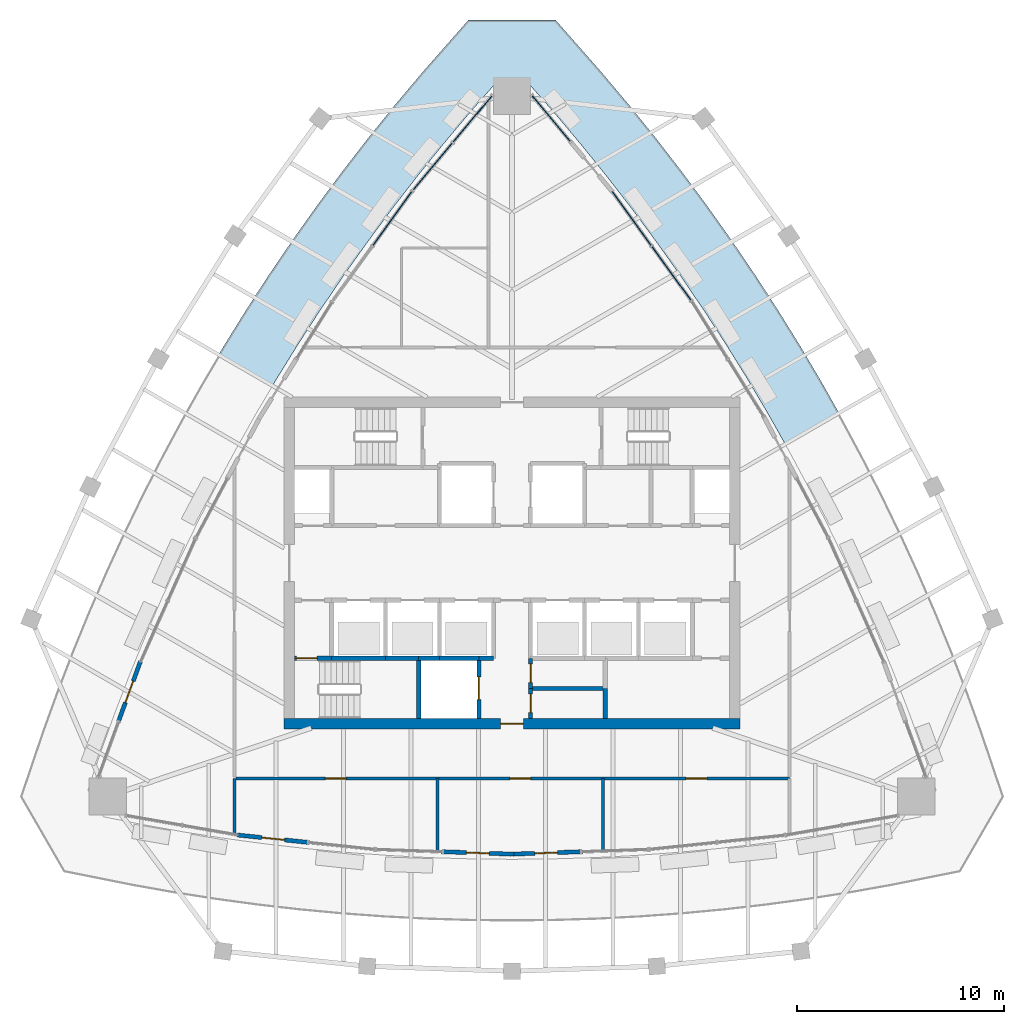
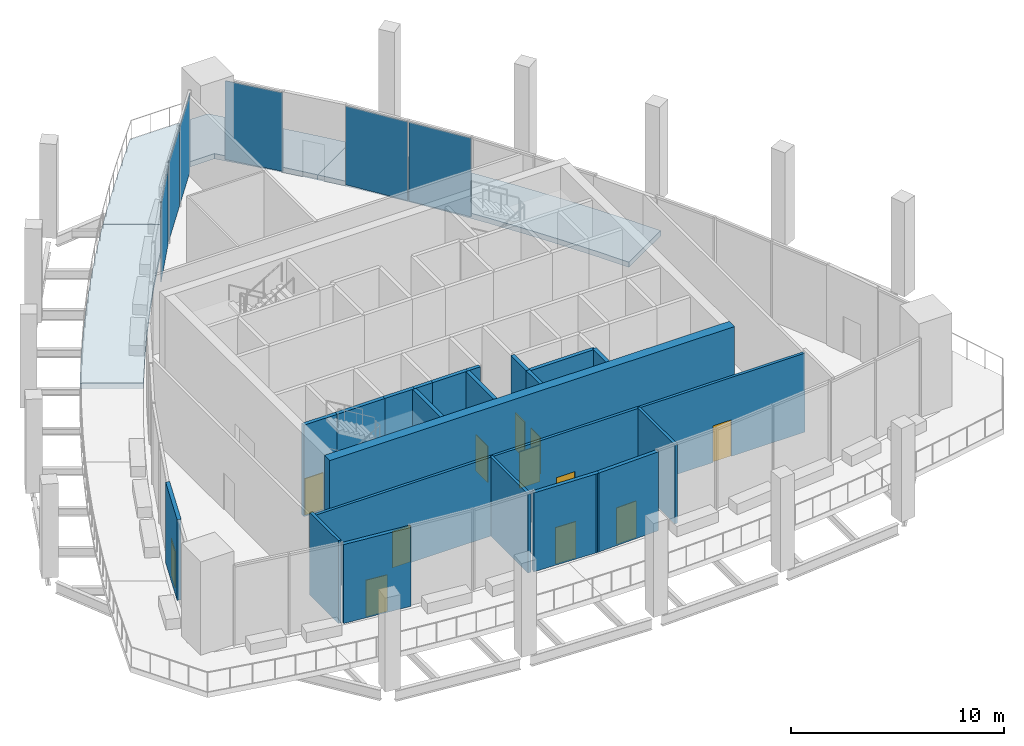
# One storey, part 7 of 14: 21 walls, 12 doors, 6 plates, 3 slabs, 12 openings, 4 elements without a shape of their own.
"""IFC4 building model written with IfcOpenShell, lengths in metres."""

from ifc_helpers import new_model, si_unit, direction, frame, frame_2d, origin, origin_2d, place, context, subcontext, project, spatial, polyline, rectangle, outline, extrude, material, layer, layer_set, type_object, element, fill, aggregate, save


model = new_model("IFC4")

# Units and contexts
model_context = context("Model", 3, precision=1e-05, world=origin(), true_north=direction((0.0, 1.0)))
body_context = subcontext(model_context, "Body", "Model", "MODEL_VIEW")
ifc_project = project(units=[si_unit("LENGTHUNIT", "METRE"), si_unit("AREAUNIT", "SQUARE_METRE"), si_unit("VOLUMEUNIT", "CUBIC_METRE"), si_unit("PLANEANGLEUNIT", "RADIAN"), si_unit("MASSUNIT", "GRAM", prefix="KILO")], contexts=[model_context])

# Site, building, storey
site_placement = place(None, origin())
site = spatial("IfcSite", under=ifc_project, at=site_placement, CompositionType="ELEMENT")
building_placement = place(site_placement, origin())
building = spatial("IfcBuilding", under=site, at=building_placement, Name="Sierra Prisma Convention Tower", CompositionType="ELEMENT")
storey_placement = place(building_placement, frame((0.0, 0.0, 339.39990234375)))
storey = spatial("IfcBuildingStorey", under=building, at=storey_placement, Name="L76", CompositionType="ELEMENT", Elevation=339.39990234375)

# Curtain wall, plates
ifc_material_1 = material(Name="Aluminium and glass curtain wall", Category="aluminium")
ifc_layer_1 = layer(ifc_material_1, 0.179931640625)
ifc_layer_set_1 = layer_set([ifc_layer_1], Name="CW-5 Observation lounge curtain wall")
curtain_wall_type = type_object("IfcCurtainWallType", Name="CW-5 Observation lounge curtain wall", PredefinedType="NOTDEFINED", material=ifc_layer_set_1)
curtain_wall_1_placement = place(storey_placement, origin())
curtain_wall_1 = element("IfcCurtainWall", 1, at=curtain_wall_1_placement, inside=storey, type_object=curtain_wall_type, Name="CW-5 CNE5 L76", PredefinedType="NOTDEFINED")
ifc_material_2 = material(Name="Tinted glass bronze-grey IGU", Category="glass")
ifc_layer_2 = layer(ifc_material_2, 0.0400390625)
ifc_layer_set_2 = layer_set([ifc_layer_2], Name="CW-5 glass panel")
plate_type = type_object("IfcPlateType", Name="CW-5 glass panel", PredefinedType="CURTAIN_PANEL", material=ifc_layer_set_2)
plate_1_placement = place(storey_placement, frame((7.69140625, 13.975341796875, 0.0), z_axis=(0.0, 0.0, 1.0), x_axis=(-0.587078381855, 0.809530094288, 0.0)))
plate_1 = element("IfcPlate", 2, at=plate_1_placement, type_object=plate_type, Name="CW-5 panel CNE5.1", PredefinedType="CURTAIN_PANEL", context=body_context, shape_type="SweptSolid", body=[
    extrude(rectangle(XDim=3.196044921875, YDim=0.0400390625, at=origin_2d()), origin(), (0.0, 0.0, 1.0), 4.52001953125),
])
plate_2_placement = place(storey_placement, frame((5.77392578125, 16.619384765625, 0.0), z_axis=(0.0, 0.0, 1.0), x_axis=(-0.587078381855, 0.809530094288, 0.0)))
plate_2 = element("IfcPlate", 3, at=plate_2_placement, type_object=plate_type, Name="CW-5 panel CNE5.2", PredefinedType="CURTAIN_PANEL", context=body_context, shape_type="SweptSolid", body=[
    extrude(rectangle(XDim=3.196044921875, YDim=0.0400390625, at=origin_2d()), origin(), (0.0, 0.0, 1.0), 4.52001953125),
])
aggregate(curtain_wall_1, [plate_1, plate_2])

# Curtain wall, plate
curtain_wall_2_placement = place(storey_placement, origin())
curtain_wall_2 = element("IfcCurtainWall", 4, at=curtain_wall_2_placement, inside=storey, type_object=curtain_wall_type, Name="CW-5 CNE6 L76", PredefinedType="NOTDEFINED")
plate_3_placement = place(storey_placement, frame((1.889892578125, 21.441650390625, 0.0), z_axis=(0.0, 0.0, 1.0), x_axis=(-0.641671743331, 0.766979382911, 0.0)))
plate_3 = element("IfcPlate", 5, at=plate_3_placement, type_object=plate_type, Name="CW-5 panel CNE6.1", PredefinedType="CURTAIN_PANEL", context=body_context, shape_type="SweptSolid", body=[
    extrude(rectangle(XDim=2.8779296875, YDim=0.0400390625, at=origin_2d()), origin(), (0.0, 0.0, 1.0), 4.52001953125),
])
aggregate(curtain_wall_2, [plate_3])

# Curtain wall, plates
curtain_wall_3_placement = place(storey_placement, origin())
curtain_wall_3 = element("IfcCurtainWall", 6, at=curtain_wall_3_placement, inside=storey, type_object=curtain_wall_type, Name="CW-5 CNW1 L76", PredefinedType="NOTDEFINED")
plate_4_placement = place(storey_placement, frame((-1.903564453125, 21.42529296875, 0.0), z_axis=(0.0, 0.0, 1.0), x_axis=(-0.641671743331, -0.766979382911, 0.0)))
plate_4 = element("IfcPlate", 7, at=plate_4_placement, type_object=plate_type, Name="CW-5 panel CNW1.1", PredefinedType="CURTAIN_PANEL", context=body_context, shape_type="SweptSolid", body=[
    extrude(rectangle(XDim=2.910400390625, YDim=0.0400390625, at=origin_2d()), origin(), (0.0, 0.0, 1.0), 4.52001953125),
])
plate_5_placement = place(storey_placement, frame((-3.81591796875, 19.139404296875, 0.0), z_axis=(0.0, 0.0, 1.0), x_axis=(-0.641671743331, -0.766979382911, 0.0)))
plate_5 = element("IfcPlate", 8, at=plate_5_placement, type_object=plate_type, Name="CW-5 panel CNW1.2", PredefinedType="CURTAIN_PANEL", context=body_context, shape_type="SweptSolid", body=[
    extrude(rectangle(XDim=2.910400390625, YDim=0.0400390625, at=origin_2d()), origin(), (0.0, 0.0, 1.0), 4.52001953125),
])
aggregate(curtain_wall_3, [plate_4, plate_5])

# Curtain wall, plate
curtain_wall_4_placement = place(storey_placement, origin())
curtain_wall_4 = element("IfcCurtainWall", 9, at=curtain_wall_4_placement, inside=storey, type_object=curtain_wall_type, Name="CW-5 CNW2 L76", PredefinedType="NOTDEFINED")
plate_6_placement = place(storey_placement, frame((-5.77392578125, 16.619384765625, 0.0), z_axis=(0.0, 0.0, 1.0), x_axis=(-0.587078381855, -0.809530094288, 0.0)))
plate_6 = element("IfcPlate", 10, at=plate_6_placement, type_object=plate_type, Name="CW-5 panel CNW2.1", PredefinedType="CURTAIN_PANEL", context=body_context, shape_type="SweptSolid", body=[
    extrude(rectangle(XDim=3.196044921875, YDim=0.0400390625, at=origin_2d()), origin(), (0.0, 0.0, 1.0), 4.52001953125),
])
aggregate(curtain_wall_4, [plate_6])

# Slabs
ifc_material_3 = material(Name="Concrete C50/60", Category="concrete")
ifc_layer_3 = layer(ifc_material_3, 0.300048828125)
ifc_layer_set_3 = layer_set([ifc_layer_3], Name="Observation deck slab")
slab_type = type_object("IfcSlabType", Name="Observation deck slab", PredefinedType="FLOOR", material=ifc_layer_set_3)
slab_1_placement = place(storey_placement, frame((0.0, 0.0, -0.2998046875)))
element("IfcSlab", 11, at=slab_1_placement, inside=storey, type_object=slab_type, Name="Observation deck slab L76", PredefinedType="FLOOR", context=body_context, shape_type="SweptSolid", body=[
    extrude(outline(polyline([(15.78076171875, 7.2333984375), (13.1826171875, 5.733154296875), (12.38427734375, 7.14990234375), (11.556396484375, 8.5498046875), (11.373291015625, 8.859619140625), (10.3271484375, 10.548095703125), (9.832763671875, 11.31005859375), (9.24609375, 12.21435546875), (8.130615234375, 13.857666015625), (8.017333984375, 14.017333984375), (6.981201171875, 15.4775390625), (6.1005859375, 16.666015625), (5.798583984375, 17.0732421875), (4.5830078125, 18.64404296875), (4.086669921875, 19.2587890625), (6.716552734375, 20.777099609375), (6.9365234375, 20.5048828125), (8.190185546875, 18.884765625), (8.715576171875, 18.176025390625), (9.409912109375, 17.239013671875), (10.595458984375, 15.568115234375), (10.625732421875, 15.5234375), (11.745849609375, 13.873291015625), (12.434326171875, 12.81201171875), (12.86083984375, 12.15478515625), (13.939697265625, 10.413330078125), (14.15478515625, 10.0498046875), (14.982421875, 8.650146484375), (15.78076171875, 7.2333984375)])), origin(), (0.0, 0.0, 1.0), 0.2998046875),
])
slab_2_placement = place(storey_placement, frame((0.0, 0.0, -0.2998046875)))
element("IfcSlab", 12, at=slab_2_placement, inside=storey, type_object=slab_type, Name="Observation deck slab L76", PredefinedType="FLOOR", context=body_context, shape_type="SweptSolid", body=[
    extrude(outline(polyline([(-6.716552734375, 20.777099609375), (-5.6494140625, 22.098388671875), (-4.32958984375, 23.6650390625), (-2.101806640625, 26.200439453125), (2.101806640625, 26.200439453125), (4.32958984375, 23.6650390625), (5.6494140625, 22.098388671875), (6.716552734375, 20.777099609375), (4.086669921875, 19.2587890625), (3.335205078125, 20.189453125), (2.055419921875, 21.708251953125), (1.977783203125, 21.796630859375), (0.744384765625, 23.200439453125), (-0.744384765625, 23.200439453125), (-1.977783203125, 21.796630859375), (-2.055419921875, 21.708251953125), (-3.335205078125, 20.189453125), (-4.086669921875, 19.2587890625), (-6.716552734375, 20.777099609375)])), origin(), (0.0, 0.0, 1.0), 0.2998046875),
])
slab_3_placement = place(storey_placement, frame((0.0, 0.0, -0.2998046875)))
element("IfcSlab", 13, at=slab_3_placement, inside=storey, type_object=slab_type, Name="Observation deck slab L76", PredefinedType="FLOOR", context=body_context, shape_type="SweptSolid", body=[
    extrude(outline(polyline([(-12.86083984375, 12.15478515625), (-12.434326171875, 12.81201171875), (-11.745849609375, 13.873291015625), (-10.625732421875, 15.5234375), (-10.595458984375, 15.568115234375), (-9.409912109375, 17.239013671875), (-8.715576171875, 18.176025390625), (-8.190185546875, 18.884765625), (-6.9365234375, 20.5048828125), (-6.716552734375, 20.777099609375), (-4.086669921875, 19.2587890625), (-4.5830078125, 18.64404296875), (-5.798583984375, 17.0732421875), (-6.1005859375, 16.666015625), (-6.981201171875, 15.4775390625), (-8.017333984375, 14.017333984375), (-8.130615234375, 13.857666015625), (-9.24609375, 12.21435546875), (-9.832763671875, 11.31005859375), (-10.3271484375, 10.548095703125), (-11.373291015625, 8.859619140625), (-11.556396484375, 8.5498046875), (-14.15478515625, 10.0498046875), (-13.939697265625, 10.413330078125), (-12.86083984375, 12.15478515625)])), origin(), (0.0, 0.0, 1.0), 0.2998046875),
])

# Wall, opening, door
ifc_material_4 = material(Name="Concrete C30/37", Category="concrete")
ifc_layer_4 = layer(ifc_material_4, 0.199951171875)
ifc_layer_set_4 = layer_set([ifc_layer_4], Name="Core wall RC 200 C30/37")
wall_type_1 = type_object("IfcWallType", Name="Core wall RC 200 C30/37", PredefinedType="SOLIDWALL", material=ifc_layer_set_4)
wall_1_placement = place(storey_placement, frame((-10.5, -4.60009765625, 0.0), z_axis=(0.0, 0.0, 1.0), x_axis=(1.0, 0.0, 0.0)))
wall_1 = element("IfcWall", 14, at=wall_1_placement, inside=storey, type_object=wall_type_1, Name="Core wall L76 1", PredefinedType="SOLIDWALL", context=body_context, shape_type="SweptSolid", body=[
    extrude(rectangle(XDim=1.800048828125, YDim=0.199951171875, at=frame_2d((0.89990234375, 0.0))), origin(), (0.0, 0.0, 1.0), 5.25),
])
opening_1_placement = place(wall_1_placement, frame((0.10009765625, 0.0, 0.0)))
opening_1 = element("IfcOpeningElement", 15, at=opening_1_placement, cuts=wall_1, Name="Opening L76-D015", PredefinedType="OPENING", context=body_context, shape_type="SweptSolid", body=[
    extrude(rectangle(XDim=1.0, YDim=2.10009765625, at=frame_2d((0.5, 1.050048828125))), frame((0.0, 0.10009765625, 0.0), z_axis=(0.0, -1.0, 0.0), x_axis=(1.0, 0.0, 0.0)), (0.0, 0.0, 1.0), 0.199951171875),
])
ifc_material_5 = material(Name="Steel fire door leaf", Category="steel")
door_type_1 = type_object("IfcDoorType", Name="Door 1000x2100 FD90S", OperationType="SINGLE_SWING_LEFT", PredefinedType="DOOR", material=ifc_material_5)
door_1_placement = place(opening_1_placement, origin())
door_1 = element("IfcDoor", 16, at=door_1_placement, inside=storey, type_object=door_type_1, Name="Door L76 23", OperationType="SINGLE_SWING_LEFT", OverallHeight=2.10009765625, OverallWidth=1.0, PredefinedType="DOOR", context=body_context, shape_type="SweptSolid", body=[
    extrude(rectangle(XDim=1.0, YDim=2.10009765625, at=frame_2d((0.5, 1.050048828125))), frame((0.0, 0.02490234375, 0.0), z_axis=(0.0, -1.0, 0.0), x_axis=(1.0, 0.0, 0.0)), (0.0, 0.0, 1.0), 0.050048828125),
])
fill(opening_1, door_1)

# Walls
wall_2_placement = place(storey_placement, frame((-8.699951171875, -4.60009765625, 0.0), z_axis=(0.0, 0.0, 1.0), x_axis=(1.0, 0.0, 0.0)))
element("IfcWall", 17, at=wall_2_placement, inside=storey, type_object=wall_type_1, Name="Core wall L76 5", PredefinedType="SOLIDWALL", context=body_context, shape_type="SweptSolid", body=[
    extrude(rectangle(XDim=2.599853515625, YDim=0.199951171875, at=frame_2d((1.2998046875, 0.0))), origin(), (0.0, 0.0, 1.0), 5.25),
])
wall_3_placement = place(storey_placement, frame((-6.10009765625, -4.60009765625, 0.0), z_axis=(0.0, 0.0, 1.0), x_axis=(1.0, 0.0, 0.0)))
element("IfcWall", 18, at=wall_3_placement, inside=storey, type_object=wall_type_1, Name="Core wall L76 11", PredefinedType="SOLIDWALL", context=body_context, shape_type="SweptSolid", body=[
    extrude(rectangle(XDim=1.60009765625, YDim=0.199951171875, at=frame_2d((0.800048828125, 0.0))), origin(), (0.0, 0.0, 1.0), 5.25),
])
wall_4_placement = place(storey_placement, frame((-4.5, -4.60009765625, 0.0), z_axis=(0.0, 0.0, 1.0), x_axis=(0.0, -1.0, 0.0)))
element("IfcWall", 19, at=wall_4_placement, inside=storey, type_object=wall_type_1, Name="Core wall L76 14", PredefinedType="SOLIDWALL", context=body_context, shape_type="SweptSolid", body=[
    extrude(rectangle(XDim=2.89990234375, YDim=0.199951171875, at=frame_2d((1.449951171875, 0.0))), origin(), (0.0, 0.0, 1.0), 5.25),
])
wall_5_placement = place(storey_placement, frame((-4.5, -4.60009765625, 0.0), z_axis=(0.0, 0.0, 1.0), x_axis=(1.0, 0.0, 0.0)))
element("IfcWall", 20, at=wall_5_placement, inside=storey, type_object=wall_type_1, Name="Core wall L76 15", PredefinedType="SOLIDWALL", context=body_context, shape_type="SweptSolid", body=[
    extrude(rectangle(XDim=1.0, YDim=0.199951171875, at=frame_2d((0.5, 0.0))), origin(), (0.0, 0.0, 1.0), 5.25),
])
wall_6_placement = place(storey_placement, frame((-3.5, -4.60009765625, 0.0), z_axis=(0.0, 0.0, 1.0), x_axis=(1.0, 0.0, 0.0)))
element("IfcWall", 21, at=wall_6_placement, inside=storey, type_object=wall_type_1, Name="Core wall L76 18", PredefinedType="SOLIDWALL", context=body_context, shape_type="SweptSolid", body=[
    extrude(rectangle(XDim=1.89990234375, YDim=0.199951171875, at=frame_2d((0.949951171875, 0.0))), origin(), (0.0, 0.0, 1.0), 5.25),
])

# Wall, opening, door
wall_7_placement = place(storey_placement, frame((-1.60009765625, -7.5, 0.0), z_axis=(0.0, 0.0, 1.0), x_axis=(0.0, 1.0, 0.0)))
wall_7 = element("IfcWall", 22, at=wall_7_placement, inside=storey, type_object=wall_type_1, Name="Core wall L76 26", PredefinedType="SOLIDWALL", context=body_context, shape_type="SweptSolid", body=[
    extrude(rectangle(XDim=2.89990234375, YDim=0.199951171875, at=frame_2d((1.449951171875, 0.0))), origin(), (0.0, 0.0, 1.0), 5.25),
])
opening_2_placement = place(wall_7_placement, frame((0.89990234375, 0.0, 0.0)))
opening_2 = element("IfcOpeningElement", 23, at=opening_2_placement, cuts=wall_7, Name="Opening L76-D009", PredefinedType="OPENING", context=body_context, shape_type="SweptSolid", body=[
    extrude(rectangle(XDim=1.10009765625, YDim=2.10009765625, at=frame_2d((0.550048828125, 1.050048828125))), frame((0.0, 0.10009765625, 0.0), z_axis=(0.0, -1.0, 0.0), x_axis=(1.0, 0.0, 0.0)), (0.0, 0.0, 1.0), 0.199951171875),
])
ifc_material_6 = material(Name="Steel fire door leaf", Category="steel")
door_type_2 = type_object("IfcDoorType", Name="Door 1100x2100 EI 90 sliding lift landing", OperationType="SLIDING_TO_LEFT", PredefinedType="DOOR", material=ifc_material_6)
door_2_placement = place(opening_2_placement, origin())
door_2 = element("IfcDoor", 24, at=door_2_placement, inside=storey, type_object=door_type_2, Name="Door L76 17", OperationType="SLIDING_TO_RIGHT", OverallHeight=2.10009765625, OverallWidth=1.10009765625, PredefinedType="DOOR", context=body_context, shape_type="SweptSolid", body=[
    extrude(rectangle(XDim=1.10009765625, YDim=2.10009765625, at=frame_2d((0.550048828125, 1.050048828125))), frame((0.0, 0.02490234375, 0.0), z_axis=(0.0, -1.0, 0.0), x_axis=(1.0, 0.0, 0.0)), (0.0, 0.0, 1.0), 0.050048828125),
])
fill(opening_2, door_2)

# Wall
wall_8_placement = place(storey_placement, frame((-1.60009765625, -4.60009765625, 0.0), z_axis=(0.0, 0.0, 1.0), x_axis=(1.0, 0.0, 0.0)))
element("IfcWall", 25, at=wall_8_placement, inside=storey, type_object=wall_type_1, Name="Core wall L76 27", PredefinedType="SOLIDWALL", context=body_context, shape_type="SweptSolid", body=[
    extrude(rectangle(XDim=0.7001953125, YDim=0.199951171875, at=frame_2d((0.35009765625, 0.0))), origin(), (0.0, 0.0, 1.0), 5.25),
])

# Wall, opening, door
wall_9_placement = place(storey_placement, frame((0.89990234375, -6.050048828125, 0.0), z_axis=(0.0, 0.0, 1.0), x_axis=(0.0, -1.0, 0.0)))
wall_9 = element("IfcWall", 26, at=wall_9_placement, inside=storey, type_object=wall_type_1, Name="Core wall L76 31", PredefinedType="SOLIDWALL", context=body_context, shape_type="SweptSolid", body=[
    extrude(rectangle(XDim=1.449951171875, YDim=0.199951171875, at=frame_2d((0.72509765625, 0.0))), origin(), (0.0, 0.0, 1.0), 5.25),
])
opening_3_placement = place(wall_9_placement, frame((0.27490234375, 0.0, 0.0)))
opening_3 = element("IfcOpeningElement", 27, at=opening_3_placement, cuts=wall_9, Name="Opening L76-D023", PredefinedType="OPENING", context=body_context, shape_type="SweptSolid", body=[
    extrude(rectangle(XDim=0.89990234375, YDim=2.10009765625, at=frame_2d((0.449951171875, 1.050048828125))), frame((0.0, 0.10009765625, 0.0), z_axis=(0.0, -1.0, 0.0), x_axis=(1.0, 0.0, 0.0)), (0.0, 0.0, 1.0), 0.199951171875),
])
ifc_material_7 = material(Name="Steel fire door leaf", Category="steel")
door_type_3 = type_object("IfcDoorType", Name="Door 900x2100 FD30S", OperationType="SINGLE_SWING_LEFT", PredefinedType="DOOR", material=ifc_material_7)
door_3_placement = place(opening_3_placement, origin())
door_3 = element("IfcDoor", 28, at=door_3_placement, inside=storey, type_object=door_type_3, Name="Door L76 31", OperationType="SINGLE_SWING_RIGHT", OverallHeight=2.10009765625, OverallWidth=0.89990234375, PredefinedType="DOOR", context=body_context, shape_type="SweptSolid", body=[
    extrude(rectangle(XDim=0.89990234375, YDim=2.10009765625, at=frame_2d((0.449951171875, 1.050048828125))), frame((0.0, 0.02490234375, 0.0), z_axis=(0.0, -1.0, 0.0), x_axis=(1.0, 0.0, 0.0)), (0.0, 0.0, 1.0), 0.050048828125),
])
fill(opening_3, door_3)

# Wall
wall_10_placement = place(storey_placement, frame((4.5, -6.050048828125, 0.0), z_axis=(0.0, 0.0, 1.0), x_axis=(-1.0, 0.0, 0.0)))
element("IfcWall", 29, at=wall_10_placement, inside=storey, type_object=wall_type_1, Name="Core wall L76 32", PredefinedType="SOLIDWALL", context=body_context, shape_type="SweptSolid", body=[
    extrude(rectangle(XDim=3.60009765625, YDim=0.199951171875, at=frame_2d((1.800048828125, 0.0))), origin(), (0.0, 0.0, 1.0), 5.25),
])

# Wall, opening, door
wall_11_placement = place(storey_placement, frame((0.89990234375, -4.60009765625, 0.0), z_axis=(0.0, 0.0, 1.0), x_axis=(0.0, -1.0, 0.0)))
wall_11 = element("IfcWall", 30, at=wall_11_placement, inside=storey, type_object=wall_type_1, Name="Core wall L76 33", PredefinedType="SOLIDWALL", context=body_context, shape_type="SweptSolid", body=[
    extrude(rectangle(XDim=1.449951171875, YDim=0.199951171875, at=frame_2d((0.72509765625, 0.0))), origin(), (0.0, 0.0, 1.0), 5.25),
])
opening_4_placement = place(wall_11_placement, frame((0.27490234375, 0.0, 0.0)))
opening_4 = element("IfcOpeningElement", 31, at=opening_4_placement, cuts=wall_11, Name="Opening L76-D024", PredefinedType="OPENING", context=body_context, shape_type="SweptSolid", body=[
    extrude(rectangle(XDim=0.89990234375, YDim=2.10009765625, at=frame_2d((0.449951171875, 1.050048828125))), frame((0.0, 0.10009765625, 0.0), z_axis=(0.0, -1.0, 0.0), x_axis=(1.0, 0.0, 0.0)), (0.0, 0.0, 1.0), 0.199951171875),
])
door_4_placement = place(opening_4_placement, origin())
door_4 = element("IfcDoor", 32, at=door_4_placement, inside=storey, type_object=door_type_3, Name="Door L76 32", OperationType="SINGLE_SWING_RIGHT", OverallHeight=2.10009765625, OverallWidth=0.89990234375, PredefinedType="DOOR", context=body_context, shape_type="SweptSolid", body=[
    extrude(rectangle(XDim=0.89990234375, YDim=2.10009765625, at=frame_2d((0.449951171875, 1.050048828125))), frame((0.0, 0.02490234375, 0.0), z_axis=(0.0, -1.0, 0.0), x_axis=(1.0, 0.0, 0.0)), (0.0, 0.0, 1.0), 0.050048828125),
])
fill(opening_4, door_4)

# Wall
wall_12_placement = place(storey_placement, frame((4.5, -6.050048828125, 0.0), z_axis=(0.0, 0.0, 1.0), x_axis=(0.0, -1.0, 0.0)))
element("IfcWall", 33, at=wall_12_placement, inside=storey, type_object=wall_type_1, Name="Core wall L76 49", PredefinedType="SOLIDWALL", context=body_context, shape_type="SweptSolid", body=[
    extrude(rectangle(XDim=1.449951171875, YDim=0.199951171875, at=frame_2d((0.72509765625, 0.0))), origin(), (0.0, 0.0, 1.0), 5.25),
])

# Wall, opening, door
ifc_material_8 = material(Name="Concrete C50/60", Category="concrete")
ifc_layer_5 = layer(ifc_material_8, 0.5)
ifc_layer_set_5 = layer_set([ifc_layer_5], Name="Core wall RC 500 C50/60")
wall_type_2 = type_object("IfcWallType", Name="Core wall RC 500 C50/60", PredefinedType="SHEAR", material=ifc_layer_set_5)
wall_13_placement = place(storey_placement, frame((-11.0, -7.75, 0.0), z_axis=(0.0, 0.0, 1.0), x_axis=(1.0, 0.0, 0.0)))
wall_13 = element("IfcWall", 34, at=wall_13_placement, inside=storey, type_object=wall_type_2, Name="Core wall S L76", PredefinedType="SHEAR", context=body_context, shape_type="SweptSolid", body=[
    extrude(rectangle(XDim=22.0, YDim=0.5, at=frame_2d((11.0, 0.0))), origin(), (0.0, 0.0, 1.0), 5.400146484375),
])
opening_5_placement = place(wall_13_placement, frame((10.449951171875, 0.0, 0.0)))
opening_5 = element("IfcOpeningElement", 35, at=opening_5_placement, cuts=wall_13, Name="Opening L76-D035", PredefinedType="OPENING", context=body_context, shape_type="SweptSolid", body=[
    extrude(rectangle(XDim=1.10009765625, YDim=2.10009765625, at=frame_2d((0.550048828125, 1.050048828125))), frame((0.0, 0.25, 0.0), z_axis=(0.0, -1.0, 0.0), x_axis=(1.0, 0.0, 0.0)), (0.0, 0.0, 1.0), 0.5),
])
ifc_material_9 = material(Name="Steel fire door leaf", Category="steel")
door_type_4 = type_object("IfcDoorType", Name="Door 1100x2100 FD30S", OperationType="SINGLE_SWING_LEFT", PredefinedType="DOOR", material=ifc_material_9)
door_5_placement = place(opening_5_placement, origin())
door_5 = element("IfcDoor", 36, at=door_5_placement, inside=storey, type_object=door_type_4, Name="Door L76 36", OperationType="SINGLE_SWING_LEFT", OverallHeight=2.10009765625, OverallWidth=1.10009765625, PredefinedType="DOOR", context=body_context, shape_type="SweptSolid", body=[
    extrude(rectangle(XDim=1.10009765625, YDim=2.10009765625, at=frame_2d((0.550048828125, 1.050048828125))), frame((0.0, 0.02490234375, 0.0), z_axis=(0.0, -1.0, 0.0), x_axis=(1.0, 0.0, 0.0)), (0.0, 0.0, 1.0), 0.050048828125),
])
fill(opening_5, door_5)

# Wall, openings, doors
ifc_material_10 = material(Name="Gypsum board partition", Category="gypsum")
ifc_layer_6 = layer(ifc_material_10, 0.14990234375)
ifc_layer_set_6 = layer_set([ifc_layer_6], Name="Corridor wall 150 gypsum EI 60")
wall_type_3 = type_object("IfcWallType", Name="Corridor wall 150 gypsum EI 60", PredefinedType="PARTITIONING", material=ifc_layer_set_6)
wall_14_placement = place(storey_placement, frame((-13.320068359375, -10.39990234375, 0.0), z_axis=(0.0, 0.0, 1.0), x_axis=(1.0, 0.0, 0.0)))
wall_14 = element("IfcWall", 37, at=wall_14_placement, inside=storey, type_object=wall_type_3, Name="Partition L76 corr 2", PredefinedType="PARTITIONING", context=body_context, shape_type="SweptSolid", body=[
    extrude(rectangle(XDim=26.719970703125, YDim=0.14990234375, at=frame_2d((13.35986328125, 0.0))), origin(), (0.0, 0.0, 1.0), 4.533203125),
])
opening_6_placement = place(wall_14_placement, frame((4.320068359375, 0.0, 0.0)))
opening_6 = element("IfcOpeningElement", 38, at=opening_6_placement, cuts=wall_14, Name="Opening L76-D029", PredefinedType="OPENING", context=body_context, shape_type="SweptSolid", body=[
    extrude(rectangle(XDim=1.0, YDim=2.10009765625, at=frame_2d((0.5, 1.050048828125))), frame((0.0, 0.074951171875, 0.0), z_axis=(0.0, -1.0, 0.0), x_axis=(1.0, 0.0, 0.0)), (0.0, 0.0, 1.0), 0.14990234375),
])
opening_7_placement = place(wall_14_placement, frame((13.219970703125, 0.0, 0.0)))
opening_7 = element("IfcOpeningElement", 39, at=opening_7_placement, cuts=wall_14, Name="Opening L76-D030", PredefinedType="OPENING", context=body_context, shape_type="SweptSolid", body=[
    extrude(rectangle(XDim=1.0, YDim=2.10009765625, at=frame_2d((0.5, 1.050048828125))), frame((0.0, 0.074951171875, 0.0), z_axis=(0.0, -1.0, 0.0), x_axis=(1.0, 0.0, 0.0)), (0.0, 0.0, 1.0), 0.14990234375),
])
opening_8_placement = place(wall_14_placement, frame((21.719970703125, 0.0, 0.0)))
opening_8 = element("IfcOpeningElement", 40, at=opening_8_placement, cuts=wall_14, Name="Opening L76-D031", PredefinedType="OPENING", context=body_context, shape_type="SweptSolid", body=[
    extrude(rectangle(XDim=1.0, YDim=2.10009765625, at=frame_2d((0.5, 1.050048828125))), frame((0.0, 0.074951171875, 0.0), z_axis=(0.0, -1.0, 0.0), x_axis=(1.0, 0.0, 0.0)), (0.0, 0.0, 1.0), 0.14990234375),
])
ifc_material_11 = material(Name="Steel fire door leaf", Category="steel")
door_type_5 = type_object("IfcDoorType", Name="Door 1000x2100 FD30S", OperationType="SINGLE_SWING_LEFT", PredefinedType="DOOR", material=ifc_material_11)
door_6_placement = place(opening_6_placement, origin())
door_6 = element("IfcDoor", 41, at=door_6_placement, inside=storey, type_object=door_type_5, Name="Door L76 5", OperationType="SINGLE_SWING_RIGHT", OverallHeight=2.10009765625, OverallWidth=1.0, PredefinedType="DOOR", context=body_context, shape_type="SweptSolid", body=[
    extrude(rectangle(XDim=1.0, YDim=2.10009765625, at=frame_2d((0.5, 1.050048828125))), frame((0.0, 0.02490234375, 0.0), z_axis=(0.0, -1.0, 0.0), x_axis=(1.0, 0.0, 0.0)), (0.0, 0.0, 1.0), 0.050048828125),
])
fill(opening_6, door_6)
door_7_placement = place(opening_7_placement, origin())
door_7 = element("IfcDoor", 42, at=door_7_placement, inside=storey, type_object=door_type_5, Name="Door L76 6", OperationType="SINGLE_SWING_RIGHT", OverallHeight=2.10009765625, OverallWidth=1.0, PredefinedType="DOOR", context=body_context, shape_type="SweptSolid", body=[
    extrude(rectangle(XDim=1.0, YDim=2.10009765625, at=frame_2d((0.5, 1.050048828125))), frame((0.0, 0.02490234375, 0.0), z_axis=(0.0, -1.0, 0.0), x_axis=(1.0, 0.0, 0.0)), (0.0, 0.0, 1.0), 0.050048828125),
])
fill(opening_7, door_7)
door_8_placement = place(opening_8_placement, origin())
door_8 = element("IfcDoor", 43, at=door_8_placement, inside=storey, type_object=door_type_5, Name="Door L76 7", OperationType="SINGLE_SWING_LEFT", OverallHeight=2.10009765625, OverallWidth=1.0, PredefinedType="DOOR", context=body_context, shape_type="SweptSolid", body=[
    extrude(rectangle(XDim=1.0, YDim=2.10009765625, at=frame_2d((0.5, 1.050048828125))), frame((0.0, 0.02490234375, 0.0), z_axis=(0.0, -1.0, 0.0), x_axis=(1.0, 0.0, 0.0)), (0.0, 0.0, 1.0), 0.050048828125),
])
fill(opening_8, door_8)

# Walls
ifc_material_12 = material(Name="Gypsum board partition", Category="gypsum")
ifc_layer_7 = layer(ifc_material_12, 0.14990234375)
ifc_layer_set_7 = layer_set([ifc_layer_7], Name="Party wall 150 gypsum")
wall_type_4 = type_object("IfcWallType", Name="Party wall 150 gypsum", PredefinedType="PARTITIONING", material=ifc_layer_set_7)
wall_15_placement = place(storey_placement, frame((-13.39990234375, -10.39990234375, 0.0), z_axis=(0.0, 0.0, 1.0), x_axis=(0.0, -1.0, 0.0)))
element("IfcWall", 44, at=wall_15_placement, inside=storey, type_object=wall_type_4, Name="Partition L76 party 1", PredefinedType="PARTITIONING", context=body_context, shape_type="SweptSolid", body=[
    extrude(rectangle(XDim=2.70068359375, YDim=0.14990234375, at=frame_2d((1.350341796875, 0.0))), origin(), (0.0, 0.0, 1.0), 4.75),
])
wall_16_placement = place(storey_placement, frame((-3.60009765625, -10.39990234375, 0.0), z_axis=(0.0, 0.0, 1.0), x_axis=(0.0, -1.0, 0.0)))
element("IfcWall", 45, at=wall_16_placement, inside=storey, type_object=wall_type_4, Name="Partition L76 party 2", PredefinedType="PARTITIONING", context=body_context, shape_type="SweptSolid", body=[
    extrude(rectangle(XDim=3.5791015625, YDim=0.14990234375, at=frame_2d((1.78955078125, 0.0))), origin(), (0.0, 0.0, 1.0), 4.533203125),
])
wall_17_placement = place(storey_placement, frame((4.39990234375, -10.39990234375, 0.0), z_axis=(0.0, 0.0, 1.0), x_axis=(0.0, -1.0, 0.0)))
element("IfcWall", 46, at=wall_17_placement, inside=storey, type_object=wall_type_4, Name="Partition L76 party 4", PredefinedType="PARTITIONING", context=body_context, shape_type="SweptSolid", body=[
    extrude(rectangle(XDim=3.544921875, YDim=0.14990234375, at=frame_2d((1.7724609375, 0.0))), origin(), (0.0, 0.0, 1.0), 4.533203125),
])

# Wall, opening, door
ifc_material_13 = material(Name="Precast concrete C40/50", Category="concrete")
ifc_layer_8 = layer(ifc_material_13, 0.199951171875)
ifc_layer_set_8 = layer_set([ifc_layer_8], Name="Terrace door pier")
wall_type_5 = type_object("IfcWallType", Name="Terrace door pier", PredefinedType="SOLIDWALL", material=ifc_layer_set_8)
wall_18_placement = place(storey_placement, frame((-13.25439453125, -13.127685546875, 0.0), z_axis=(0.0, 0.0, 1.0), x_axis=(0.99460605578, -0.103724605592, 0.0)))
wall_18 = element("IfcWall", 47, at=wall_18_placement, inside=storey, type_object=wall_type_5, Name="Deck door bay L76", PredefinedType="SOLIDWALL", context=body_context, shape_type="SweptSolid", body=[
    extrude(rectangle(XDim=3.481201171875, YDim=0.199951171875, at=frame_2d((1.74072265625, 0.0))), origin(), (0.0, 0.0, 1.0), 4.533203125),
])
opening_9_placement = place(wall_18_placement, frame((1.1904296875, 0.0, 0.0)))
opening_9 = element("IfcOpeningElement", 48, at=opening_9_placement, cuts=wall_18, Name="Opening L76-D037", PredefinedType="OPENING", context=body_context, shape_type="SweptSolid", body=[
    extrude(rectangle(XDim=1.10009765625, YDim=2.10009765625, at=frame_2d((0.550048828125, 1.050048828125))), frame((0.0, 0.10009765625, 0.0), z_axis=(0.0, -1.0, 0.0), x_axis=(1.0, 0.0, 0.0)), (0.0, 0.0, 1.0), 0.199951171875),
])
ifc_material_14 = material(Name="Bronze anodised aluminium and glass", Category="aluminium")
door_type_6 = type_object("IfcDoorType", Name="Terrace door 1100 x 2100", OperationType="SINGLE_SWING_LEFT", PredefinedType="DOOR", material=ifc_material_14)
door_9_placement = place(opening_9_placement, origin())
door_9 = element("IfcDoor", 49, at=door_9_placement, inside=storey, type_object=door_type_6, Name="Deck door L76", OperationType="SINGLE_SWING_LEFT", OverallHeight=2.10009765625, OverallWidth=1.10009765625, PredefinedType="DOOR", context=body_context, shape_type="SweptSolid", body=[
    extrude(rectangle(XDim=1.10009765625, YDim=2.10009765625, at=frame_2d((0.550048828125, 1.050048828125))), frame((0.0, 0.02490234375, 0.0), z_axis=(0.0, -1.0, 0.0), x_axis=(1.0, 0.0, 0.0)), (0.0, 0.0, 1.0), 0.050048828125),
])
fill(opening_9, door_9)

wall_19_placement = place(storey_placement, frame((-3.38916015625, -13.9326171875, 0.0), z_axis=(0.0, 0.0, 1.0), x_axis=(0.99939965217, -0.034645854609, 0.0)))
wall_19 = element("IfcWall", 50, at=wall_19_placement, inside=storey, type_object=wall_type_5, Name="Deck door bay L76", PredefinedType="SOLIDWALL", context=body_context, shape_type="SweptSolid", body=[
    extrude(rectangle(XDim=3.481201171875, YDim=0.199951171875, at=frame_2d((1.74072265625, 0.0))), origin(), (0.0, 0.0, 1.0), 4.533203125),
])
opening_10_placement = place(wall_19_placement, frame((1.1904296875, 0.0, 0.0)))
opening_10 = element("IfcOpeningElement", 51, at=opening_10_placement, cuts=wall_19, Name="Opening L76-D038", PredefinedType="OPENING", context=body_context, shape_type="SweptSolid", body=[
    extrude(rectangle(XDim=1.10009765625, YDim=2.10009765625, at=frame_2d((0.550048828125, 1.050048828125))), frame((0.0, 0.10009765625, 0.0), z_axis=(0.0, -1.0, 0.0), x_axis=(1.0, 0.0, 0.0)), (0.0, 0.0, 1.0), 0.199951171875),
])
door_10_placement = place(opening_10_placement, origin())
door_10 = element("IfcDoor", 52, at=door_10_placement, inside=storey, type_object=door_type_6, Name="Deck door L76", OperationType="SINGLE_SWING_LEFT", OverallHeight=2.10009765625, OverallWidth=1.10009765625, PredefinedType="DOOR", context=body_context, shape_type="SweptSolid", body=[
    extrude(rectangle(XDim=1.10009765625, YDim=2.10009765625, at=frame_2d((0.550048828125, 1.050048828125))), frame((0.0, 0.02490234375, 0.0), z_axis=(0.0, -1.0, 0.0), x_axis=(1.0, 0.0, 0.0)), (0.0, 0.0, 1.0), 0.050048828125),
])
fill(opening_10, door_10)

wall_20_placement = place(storey_placement, frame((-0.08984375, -14.05322265625, 0.0), z_axis=(0.0, 0.0, 1.0), x_axis=(0.99939965217, 0.034645854609, 0.0)))
wall_20 = element("IfcWall", 53, at=wall_20_placement, inside=storey, type_object=wall_type_5, Name="Deck door bay L76", PredefinedType="SOLIDWALL", context=body_context, shape_type="SweptSolid", body=[
    extrude(rectangle(XDim=3.481201171875, YDim=0.199951171875, at=frame_2d((1.74072265625, 0.0))), origin(), (0.0, 0.0, 1.0), 4.533203125),
])
opening_11_placement = place(wall_20_placement, frame((1.1904296875, 0.0, 0.0)))
opening_11 = element("IfcOpeningElement", 54, at=opening_11_placement, cuts=wall_20, Name="Opening L76-D039", PredefinedType="OPENING", context=body_context, shape_type="SweptSolid", body=[
    extrude(rectangle(XDim=1.10009765625, YDim=2.10009765625, at=frame_2d((0.550048828125, 1.050048828125))), frame((0.0, 0.10009765625, 0.0), z_axis=(0.0, -1.0, 0.0), x_axis=(1.0, 0.0, 0.0)), (0.0, 0.0, 1.0), 0.199951171875),
])
door_11_placement = place(opening_11_placement, origin())
door_11 = element("IfcDoor", 55, at=door_11_placement, inside=storey, type_object=door_type_6, Name="Deck door L76", OperationType="SINGLE_SWING_RIGHT", OverallHeight=2.10009765625, OverallWidth=1.10009765625, PredefinedType="DOOR", context=body_context, shape_type="SweptSolid", body=[
    extrude(rectangle(XDim=1.10009765625, YDim=2.10009765625, at=frame_2d((0.550048828125, 1.050048828125))), frame((0.0, 0.02490234375, 0.0), z_axis=(0.0, -1.0, 0.0), x_axis=(1.0, 0.0, 0.0)), (0.0, 0.0, 1.0), 0.050048828125),
])
fill(opening_11, door_11)

wall_21_placement = place(storey_placement, frame((-17.9287109375, -4.748046875, 0.0), z_axis=(0.0, 0.0, 1.0), x_axis=(-0.343345057172, -0.939209333277, 0.0)))
wall_21 = element("IfcWall", 56, at=wall_21_placement, inside=storey, type_object=wall_type_5, Name="Deck door bay L76", PredefinedType="SOLIDWALL", context=body_context, shape_type="SweptSolid", body=[
    extrude(rectangle(XDim=3.131591796875, YDim=0.199951171875, at=frame_2d((1.56591796875, 0.0))), origin(), (0.0, 0.0, 1.0), 4.64013671875),
])
opening_12_placement = place(wall_21_placement, frame((1.015869140625, 0.0, 0.0)))
opening_12 = element("IfcOpeningElement", 57, at=opening_12_placement, cuts=wall_21, Name="Opening L76-D045", PredefinedType="OPENING", context=body_context, shape_type="SweptSolid", body=[
    extrude(rectangle(XDim=1.10009765625, YDim=2.10009765625, at=frame_2d((0.550048828125, 1.050048828125))), frame((0.0, 0.10009765625, 0.0), z_axis=(0.0, -1.0, 0.0), x_axis=(1.0, 0.0, 0.0)), (0.0, 0.0, 1.0), 0.199951171875),
])
door_12_placement = place(opening_12_placement, origin())
door_12 = element("IfcDoor", 58, at=door_12_placement, inside=storey, type_object=door_type_6, Name="Deck door L76", OperationType="SINGLE_SWING_RIGHT", OverallHeight=2.10009765625, OverallWidth=1.10009765625, PredefinedType="DOOR", context=body_context, shape_type="SweptSolid", body=[
    extrude(rectangle(XDim=1.10009765625, YDim=2.10009765625, at=frame_2d((0.550048828125, 1.050048828125))), frame((0.0, 0.02490234375, 0.0), z_axis=(0.0, -1.0, 0.0), x_axis=(1.0, 0.0, 0.0)), (0.0, 0.0, 1.0), 0.050048828125),
])
fill(opening_12, door_12)

save(model, "model.ifc")
